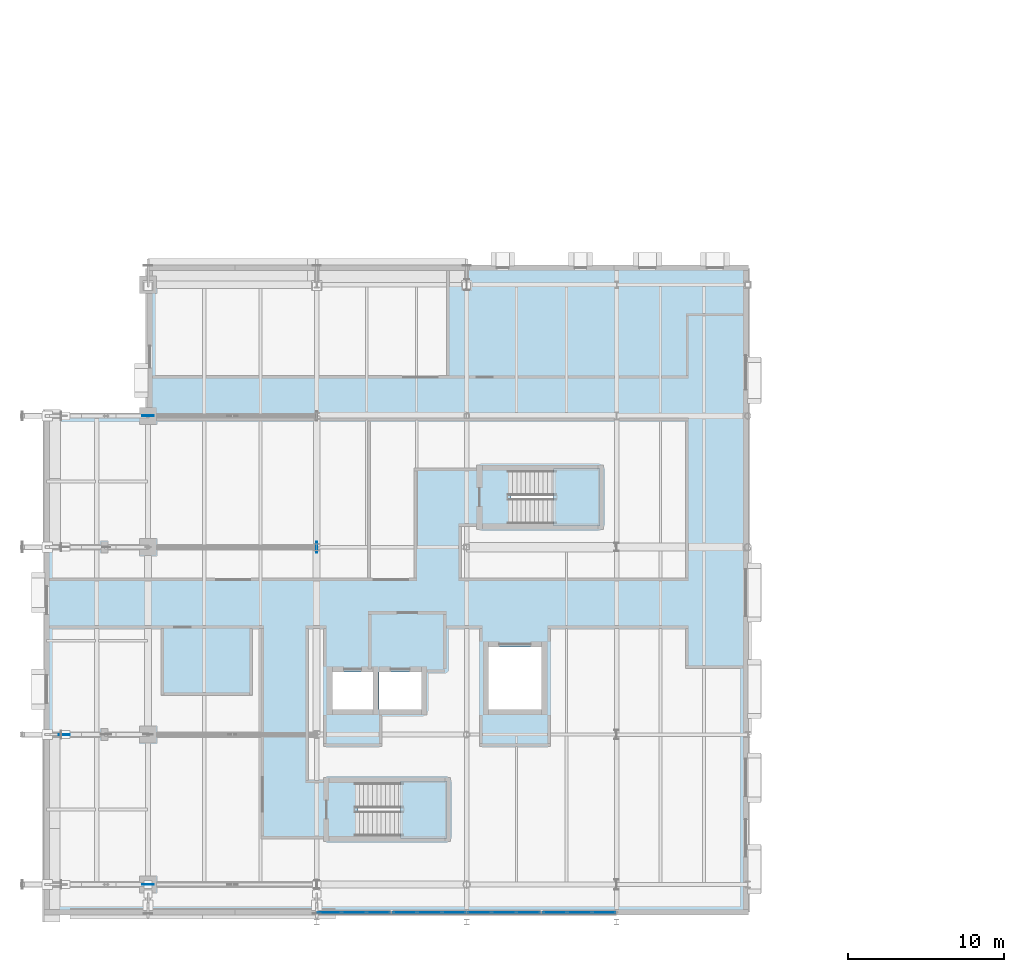
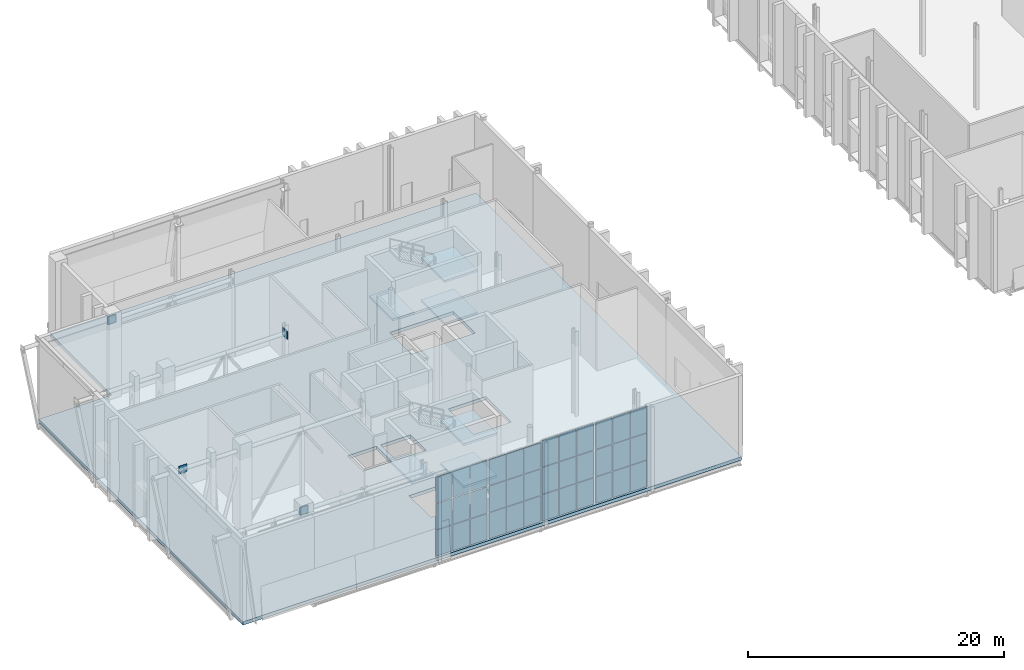
# One storey, part 38 of 79: 40 plates, 7 slabs, 6 elements without a shape of their own.
"""IFC4 building model written with IfcOpenShell, lengths in metres."""

from ifc_helpers import new_model, si_unit, direction, frame, origin, origin_2d, place, context, subcontext, project, spatial, polyline, rectangle, outline, extrude, material, layer, layer_set, type_object, element, aggregate, save


model = new_model("IFC4")

# Units and contexts
model_context = context("Model", 3, precision=1e-05, world=origin(), true_north=direction((0.0, 1.0)))
body_context = subcontext(model_context, "Body", "Model", "MODEL_VIEW")
ifc_project = project(units=[si_unit("LENGTHUNIT", "METRE"), si_unit("AREAUNIT", "SQUARE_METRE"), si_unit("VOLUMEUNIT", "CUBIC_METRE"), si_unit("PLANEANGLEUNIT", "RADIAN"), si_unit("MASSUNIT", "GRAM", prefix="KILO")], contexts=[model_context])

# Site, building, storey
site_placement = place(None, origin())
site = spatial("IfcSite", under=ifc_project, at=site_placement, CompositionType="ELEMENT")
building_placement = place(site_placement, origin())
building = spatial("IfcBuilding", under=site, at=building_placement, Name="Zereglee Splitstone Museum", CompositionType="ELEMENT")
storey_placement = place(building_placement, frame((0.0, 0.0, 9.0)))
storey = spatial("IfcBuildingStorey", under=building, at=storey_placement, Name="L02", CompositionType="ELEMENT", Elevation=9.0)

# Curtain wall, plates
ifc_material_1 = material(Name="Triple-glazed low-E argon glass and bronze-anodised aluminium", Category="aluminium")
ifc_layer_1 = layer(ifc_material_1, 0.219970703125)
ifc_layer_set_1 = layer_set([ifc_layer_1], Name="Triple-glazed low-E argon glass and bronze-anodised aluminium")
curtain_wall_type_1 = type_object("IfcCurtainWallType", Name="CW-0476-768", PredefinedType="USERDEFINED", material=ifc_layer_set_1)
curtain_wall_1_placement = place(storey_placement, origin())
curtain_wall_1 = element("IfcCurtainWall", 1, at=curtain_wall_1_placement, inside=storey, type_object=curtain_wall_type_1, Name="Glazed Curtain Wall CW-0476-768 (L02)", ObjectType="GLAZED CURTAIN WALL", PredefinedType="USERDEFINED")
ifc_material_2 = material(Name="Triple low-e argon insulated safety glass", Category="glass")
ifc_layer_2 = layer(ifc_material_2, 0.035888671875)
ifc_layer_set_2 = layer_set([ifc_layer_2], Name="Triple low-e argon insulated safety glass")
plate_type_1 = type_object("IfcPlateType", Name="CWP-01", PredefinedType="CURTAIN_PANEL", material=ifc_layer_set_2)
plate_1_placement = place(storey_placement, frame((21.212158203125, -1.780029296875, 0.0751953125), z_axis=(0.0, 0.0, 1.0), x_axis=(1.0, 0.0, 0.0)))
plate_1 = element("IfcPlate", 2, at=plate_1_placement, type_object=plate_type_1, Name="CW-0476-768 panel 1.1", PredefinedType="CURTAIN_PANEL", context=body_context, shape_type="SweptSolid", body=[
    extrude(rectangle(XDim=1.47412109375, YDim=0.035888671875, at=origin_2d()), origin(), (0.0, 0.0, 1.0), 2.447509765625),
])
plate_2_placement = place(storey_placement, frame((21.212158203125, -1.780029296875, 2.59765625), z_axis=(0.0, 0.0, 1.0), x_axis=(1.0, 0.0, 0.0)))
plate_2 = element("IfcPlate", 3, at=plate_2_placement, type_object=plate_type_1, Name="CW-0476-768 panel 1.2", PredefinedType="CURTAIN_PANEL", context=body_context, shape_type="SweptSolid", body=[
    extrude(rectangle(XDim=1.47412109375, YDim=0.035888671875, at=origin_2d()), origin(), (0.0, 0.0, 1.0), 2.485107421875),
])
plate_3_placement = place(storey_placement, frame((21.212158203125, -1.780029296875, 5.15771484375), z_axis=(0.0, 0.0, 1.0), x_axis=(1.0, 0.0, 0.0)))
plate_3 = element("IfcPlate", 4, at=plate_3_placement, type_object=plate_type_1, Name="CW-0476-768 panel 1.3", PredefinedType="CURTAIN_PANEL", context=body_context, shape_type="SweptSolid", body=[
    extrude(rectangle(XDim=1.47412109375, YDim=0.035888671875, at=origin_2d()), origin(), (0.0, 0.0, 1.0), 2.447509765625),
])
plate_4_placement = place(storey_placement, frame((22.780029296875, -1.780029296875, 0.0751953125), z_axis=(0.0, 0.0, 1.0), x_axis=(1.0, 0.0, 0.0)))
plate_4 = element("IfcPlate", 5, at=plate_4_placement, type_object=plate_type_1, Name="CW-0476-768 panel 2.1", PredefinedType="CURTAIN_PANEL", context=body_context, shape_type="SweptSolid", body=[
    extrude(rectangle(XDim=1.51171875, YDim=0.035888671875, at=origin_2d()), origin(), (0.0, 0.0, 1.0), 2.447509765625),
])
plate_5_placement = place(storey_placement, frame((22.780029296875, -1.780029296875, 2.59765625), z_axis=(0.0, 0.0, 1.0), x_axis=(1.0, 0.0, 0.0)))
plate_5 = element("IfcPlate", 6, at=plate_5_placement, type_object=plate_type_1, Name="CW-0476-768 panel 2.2", PredefinedType="CURTAIN_PANEL", context=body_context, shape_type="SweptSolid", body=[
    extrude(rectangle(XDim=1.51171875, YDim=0.035888671875, at=origin_2d()), origin(), (0.0, 0.0, 1.0), 2.485107421875),
])
plate_6_placement = place(storey_placement, frame((22.780029296875, -1.780029296875, 5.15771484375), z_axis=(0.0, 0.0, 1.0), x_axis=(1.0, 0.0, 0.0)))
plate_6 = element("IfcPlate", 7, at=plate_6_placement, type_object=plate_type_1, Name="CW-0476-768 panel 2.3", PredefinedType="CURTAIN_PANEL", context=body_context, shape_type="SweptSolid", body=[
    extrude(rectangle(XDim=1.51171875, YDim=0.035888671875, at=origin_2d()), origin(), (0.0, 0.0, 1.0), 2.447509765625),
])
plate_7_placement = place(storey_placement, frame((24.347900390625, -1.780029296875, 0.0751953125), z_axis=(0.0, 0.0, 1.0), x_axis=(1.0, 0.0, 0.0)))
plate_7 = element("IfcPlate", 8, at=plate_7_placement, type_object=plate_type_1, Name="CW-0476-768 panel 3.1", PredefinedType="CURTAIN_PANEL", context=body_context, shape_type="SweptSolid", body=[
    extrude(rectangle(XDim=1.47412109375, YDim=0.035888671875, at=origin_2d()), origin(), (0.0, 0.0, 1.0), 2.447509765625),
])
plate_8_placement = place(storey_placement, frame((24.347900390625, -1.780029296875, 2.59765625), z_axis=(0.0, 0.0, 1.0), x_axis=(1.0, 0.0, 0.0)))
plate_8 = element("IfcPlate", 9, at=plate_8_placement, type_object=plate_type_1, Name="CW-0476-768 panel 3.2", PredefinedType="CURTAIN_PANEL", context=body_context, shape_type="SweptSolid", body=[
    extrude(rectangle(XDim=1.47412109375, YDim=0.035888671875, at=origin_2d()), origin(), (0.0, 0.0, 1.0), 2.485107421875),
])
plate_9_placement = place(storey_placement, frame((24.347900390625, -1.780029296875, 5.15771484375), z_axis=(0.0, 0.0, 1.0), x_axis=(1.0, 0.0, 0.0)))
plate_9 = element("IfcPlate", 10, at=plate_9_placement, type_object=plate_type_1, Name="CW-0476-768 panel 3.3", PredefinedType="CURTAIN_PANEL", context=body_context, shape_type="SweptSolid", body=[
    extrude(rectangle(XDim=1.47412109375, YDim=0.035888671875, at=origin_2d()), origin(), (0.0, 0.0, 1.0), 2.447509765625),
])
aggregate(curtain_wall_1, [plate_1, plate_2, plate_3, plate_4, plate_5, plate_6, plate_7, plate_8, plate_9])

ifc_layer_3 = layer(ifc_material_1, 0.219970703125)
ifc_layer_set_3 = layer_set([ifc_layer_3], Name="Triple-glazed low-E argon glass and bronze-anodised aluminium")
curtain_wall_type_2 = type_object("IfcCurtainWallType", Name="CW-0476-766", PredefinedType="USERDEFINED", material=ifc_layer_set_3)
curtain_wall_2_placement = place(storey_placement, origin())
curtain_wall_2 = element("IfcCurtainWall", 11, at=curtain_wall_2_placement, inside=storey, type_object=curtain_wall_type_2, Name="Glazed Curtain Wall CW-0476-766 (L02)", ObjectType="GLAZED CURTAIN WALL", PredefinedType="USERDEFINED")
plate_10_placement = place(storey_placement, frame((26.052001953125, -1.780029296875, 0.074951171875), z_axis=(0.0, 0.0, 1.0), x_axis=(1.0, 0.0, 0.0)))
plate_10 = element("IfcPlate", 12, at=plate_10_placement, type_object=plate_type_1, Name="CW-0476-766 panel 1.1", PredefinedType="CURTAIN_PANEL", context=body_context, shape_type="SweptSolid", body=[
    extrude(rectangle(XDim=1.47412109375, YDim=0.035888671875, at=origin_2d()), origin(), (0.0, 0.0, 1.0), 2.44091796875),
])
plate_11_placement = place(storey_placement, frame((26.052001953125, -1.780029296875, 2.5908203125), z_axis=(0.0, 0.0, 1.0), x_axis=(1.0, 0.0, 0.0)))
plate_11 = element("IfcPlate", 13, at=plate_11_placement, type_object=plate_type_1, Name="CW-0476-766 panel 1.2", PredefinedType="CURTAIN_PANEL", context=body_context, shape_type="SweptSolid", body=[
    extrude(rectangle(XDim=1.47412109375, YDim=0.035888671875, at=origin_2d()), origin(), (0.0, 0.0, 1.0), 2.478515625),
])
plate_12_placement = place(storey_placement, frame((26.052001953125, -1.780029296875, 5.14404296875), z_axis=(0.0, 0.0, 1.0), x_axis=(1.0, 0.0, 0.0)))
plate_12 = element("IfcPlate", 14, at=plate_12_placement, type_object=plate_type_1, Name="CW-0476-766 panel 1.3", PredefinedType="CURTAIN_PANEL", context=body_context, shape_type="SweptSolid", body=[
    extrude(rectangle(XDim=1.47412109375, YDim=0.035888671875, at=origin_2d()), origin(), (0.0, 0.0, 1.0), 2.44091796875),
])
plate_13_placement = place(storey_placement, frame((27.6201171875, -1.780029296875, 0.074951171875), z_axis=(0.0, 0.0, 1.0), x_axis=(1.0, 0.0, 0.0)))
plate_13 = element("IfcPlate", 15, at=plate_13_placement, type_object=plate_type_1, Name="CW-0476-766 panel 2.1", PredefinedType="CURTAIN_PANEL", context=body_context, shape_type="SweptSolid", body=[
    extrude(rectangle(XDim=1.51171875, YDim=0.035888671875, at=origin_2d()), origin(), (0.0, 0.0, 1.0), 2.44091796875),
])
plate_14_placement = place(storey_placement, frame((27.6201171875, -1.780029296875, 2.5908203125), z_axis=(0.0, 0.0, 1.0), x_axis=(1.0, 0.0, 0.0)))
plate_14 = element("IfcPlate", 16, at=plate_14_placement, type_object=plate_type_1, Name="CW-0476-766 panel 2.2", PredefinedType="CURTAIN_PANEL", context=body_context, shape_type="SweptSolid", body=[
    extrude(rectangle(XDim=1.51171875, YDim=0.035888671875, at=origin_2d()), origin(), (0.0, 0.0, 1.0), 2.478515625),
])
plate_15_placement = place(storey_placement, frame((27.6201171875, -1.780029296875, 5.14404296875), z_axis=(0.0, 0.0, 1.0), x_axis=(1.0, 0.0, 0.0)))
plate_15 = element("IfcPlate", 17, at=plate_15_placement, type_object=plate_type_1, Name="CW-0476-766 panel 2.3", PredefinedType="CURTAIN_PANEL", context=body_context, shape_type="SweptSolid", body=[
    extrude(rectangle(XDim=1.51171875, YDim=0.035888671875, at=origin_2d()), origin(), (0.0, 0.0, 1.0), 2.44091796875),
])
plate_16_placement = place(storey_placement, frame((29.18798828125, -1.780029296875, 0.074951171875), z_axis=(0.0, 0.0, 1.0), x_axis=(1.0, 0.0, 0.0)))
plate_16 = element("IfcPlate", 18, at=plate_16_placement, type_object=plate_type_1, Name="CW-0476-766 panel 3.1", PredefinedType="CURTAIN_PANEL", context=body_context, shape_type="SweptSolid", body=[
    extrude(rectangle(XDim=1.47412109375, YDim=0.035888671875, at=origin_2d()), origin(), (0.0, 0.0, 1.0), 2.44091796875),
])
plate_17_placement = place(storey_placement, frame((29.18798828125, -1.780029296875, 2.5908203125), z_axis=(0.0, 0.0, 1.0), x_axis=(1.0, 0.0, 0.0)))
plate_17 = element("IfcPlate", 19, at=plate_17_placement, type_object=plate_type_1, Name="CW-0476-766 panel 3.2", PredefinedType="CURTAIN_PANEL", context=body_context, shape_type="SweptSolid", body=[
    extrude(rectangle(XDim=1.47412109375, YDim=0.035888671875, at=origin_2d()), origin(), (0.0, 0.0, 1.0), 2.478515625),
])
plate_18_placement = place(storey_placement, frame((29.18798828125, -1.780029296875, 5.14404296875), z_axis=(0.0, 0.0, 1.0), x_axis=(1.0, 0.0, 0.0)))
plate_18 = element("IfcPlate", 20, at=plate_18_placement, type_object=plate_type_1, Name="CW-0476-766 panel 3.3", PredefinedType="CURTAIN_PANEL", context=body_context, shape_type="SweptSolid", body=[
    extrude(rectangle(XDim=1.47412109375, YDim=0.035888671875, at=origin_2d()), origin(), (0.0, 0.0, 1.0), 2.44091796875),
])
aggregate(curtain_wall_2, [plate_10, plate_11, plate_12, plate_13, plate_14, plate_15, plate_16, plate_17, plate_18])

ifc_layer_4 = layer(ifc_material_1, 0.219970703125)
ifc_layer_set_4 = layer_set([ifc_layer_4], Name="Triple-glazed low-E argon glass and bronze-anodised aluminium")
curtain_wall_type_3 = type_object("IfcCurtainWallType", Name="CW-0476-780", PredefinedType="USERDEFINED", material=ifc_layer_set_4)
curtain_wall_3_placement = place(storey_placement, origin())
curtain_wall_3 = element("IfcCurtainWall", 21, at=curtain_wall_3_placement, inside=storey, type_object=curtain_wall_type_3, Name="Glazed Curtain Wall CW-0476-780 (L02)", ObjectType="GLAZED CURTAIN WALL", PredefinedType="USERDEFINED")
plate_19_placement = place(storey_placement, frame((30.81201171875, -1.780029296875, 0.0751953125), z_axis=(0.0, 0.0, 1.0), x_axis=(1.0, 0.0, 0.0)))
plate_19 = element("IfcPlate", 22, at=plate_19_placement, type_object=plate_type_1, Name="CW-0476-780 panel 1.1", PredefinedType="CURTAIN_PANEL", context=body_context, shape_type="SweptSolid", body=[
    extrude(rectangle(XDim=1.47412109375, YDim=0.035888671875, at=origin_2d()), origin(), (0.0, 0.0, 1.0), 2.487548828125),
])
plate_20_placement = place(storey_placement, frame((30.81201171875, -1.780029296875, 2.637451171875), z_axis=(0.0, 0.0, 1.0), x_axis=(1.0, 0.0, 0.0)))
plate_20 = element("IfcPlate", 23, at=plate_20_placement, type_object=plate_type_1, Name="CW-0476-780 panel 1.2", PredefinedType="CURTAIN_PANEL", context=body_context, shape_type="SweptSolid", body=[
    extrude(rectangle(XDim=1.47412109375, YDim=0.035888671875, at=origin_2d()), origin(), (0.0, 0.0, 1.0), 2.52490234375),
])
plate_21_placement = place(storey_placement, frame((30.81201171875, -1.780029296875, 5.2373046875), z_axis=(0.0, 0.0, 1.0), x_axis=(1.0, 0.0, 0.0)))
plate_21 = element("IfcPlate", 24, at=plate_21_placement, type_object=plate_type_1, Name="CW-0476-780 panel 1.3", PredefinedType="CURTAIN_PANEL", context=body_context, shape_type="SweptSolid", body=[
    extrude(rectangle(XDim=1.47412109375, YDim=0.035888671875, at=origin_2d()), origin(), (0.0, 0.0, 1.0), 2.487548828125),
])
plate_22_placement = place(storey_placement, frame((32.3798828125, -1.780029296875, 0.0751953125), z_axis=(0.0, 0.0, 1.0), x_axis=(1.0, 0.0, 0.0)))
plate_22 = element("IfcPlate", 25, at=plate_22_placement, type_object=plate_type_1, Name="CW-0476-780 panel 2.1", PredefinedType="CURTAIN_PANEL", context=body_context, shape_type="SweptSolid", body=[
    extrude(rectangle(XDim=1.51171875, YDim=0.035888671875, at=origin_2d()), origin(), (0.0, 0.0, 1.0), 2.487548828125),
])
plate_23_placement = place(storey_placement, frame((32.3798828125, -1.780029296875, 2.637451171875), z_axis=(0.0, 0.0, 1.0), x_axis=(1.0, 0.0, 0.0)))
plate_23 = element("IfcPlate", 26, at=plate_23_placement, type_object=plate_type_1, Name="CW-0476-780 panel 2.2", PredefinedType="CURTAIN_PANEL", context=body_context, shape_type="SweptSolid", body=[
    extrude(rectangle(XDim=1.51171875, YDim=0.035888671875, at=origin_2d()), origin(), (0.0, 0.0, 1.0), 2.52490234375),
])
plate_24_placement = place(storey_placement, frame((32.3798828125, -1.780029296875, 5.2373046875), z_axis=(0.0, 0.0, 1.0), x_axis=(1.0, 0.0, 0.0)))
plate_24 = element("IfcPlate", 27, at=plate_24_placement, type_object=plate_type_1, Name="CW-0476-780 panel 2.3", PredefinedType="CURTAIN_PANEL", context=body_context, shape_type="SweptSolid", body=[
    extrude(rectangle(XDim=1.51171875, YDim=0.035888671875, at=origin_2d()), origin(), (0.0, 0.0, 1.0), 2.487548828125),
])
plate_25_placement = place(storey_placement, frame((33.947998046875, -1.780029296875, 0.0751953125), z_axis=(0.0, 0.0, 1.0), x_axis=(1.0, 0.0, 0.0)))
plate_25 = element("IfcPlate", 28, at=plate_25_placement, type_object=plate_type_1, Name="CW-0476-780 panel 3.1", PredefinedType="CURTAIN_PANEL", context=body_context, shape_type="SweptSolid", body=[
    extrude(rectangle(XDim=1.47412109375, YDim=0.035888671875, at=origin_2d()), origin(), (0.0, 0.0, 1.0), 2.487548828125),
])
plate_26_placement = place(storey_placement, frame((33.947998046875, -1.780029296875, 2.637451171875), z_axis=(0.0, 0.0, 1.0), x_axis=(1.0, 0.0, 0.0)))
plate_26 = element("IfcPlate", 29, at=plate_26_placement, type_object=plate_type_1, Name="CW-0476-780 panel 3.2", PredefinedType="CURTAIN_PANEL", context=body_context, shape_type="SweptSolid", body=[
    extrude(rectangle(XDim=1.47412109375, YDim=0.035888671875, at=origin_2d()), origin(), (0.0, 0.0, 1.0), 2.52490234375),
])
plate_27_placement = place(storey_placement, frame((33.947998046875, -1.780029296875, 5.2373046875), z_axis=(0.0, 0.0, 1.0), x_axis=(1.0, 0.0, 0.0)))
plate_27 = element("IfcPlate", 30, at=plate_27_placement, type_object=plate_type_1, Name="CW-0476-780 panel 3.3", PredefinedType="CURTAIN_PANEL", context=body_context, shape_type="SweptSolid", body=[
    extrude(rectangle(XDim=1.47412109375, YDim=0.035888671875, at=origin_2d()), origin(), (0.0, 0.0, 1.0), 2.487548828125),
])
aggregate(curtain_wall_3, [plate_19, plate_20, plate_21, plate_22, plate_23, plate_24, plate_25, plate_26, plate_27])

ifc_layer_5 = layer(ifc_material_1, 0.219970703125)
ifc_layer_set_5 = layer_set([ifc_layer_5], Name="Triple-glazed low-E argon glass and bronze-anodised aluminium")
curtain_wall_type_4 = type_object("IfcCurtainWallType", Name="CW-0476-778", PredefinedType="USERDEFINED", material=ifc_layer_set_5)
curtain_wall_4_placement = place(storey_placement, origin())
curtain_wall_4 = element("IfcCurtainWall", 31, at=curtain_wall_4_placement, inside=storey, type_object=curtain_wall_type_4, Name="Glazed Curtain Wall CW-0476-778 (L02)", ObjectType="GLAZED CURTAIN WALL", PredefinedType="USERDEFINED")
plate_28_placement = place(storey_placement, frame((35.652099609375, -1.780029296875, 0.0751953125), z_axis=(0.0, 0.0, 1.0), x_axis=(1.0, 0.0, 0.0)))
plate_28 = element("IfcPlate", 32, at=plate_28_placement, type_object=plate_type_1, Name="CW-0476-778 panel 1.1", PredefinedType="CURTAIN_PANEL", context=body_context, shape_type="SweptSolid", body=[
    extrude(rectangle(XDim=1.47412109375, YDim=0.035888671875, at=origin_2d()), origin(), (0.0, 0.0, 1.0), 2.480712890625),
])
plate_29_placement = place(storey_placement, frame((35.652099609375, -1.780029296875, 2.630859375), z_axis=(0.0, 0.0, 1.0), x_axis=(1.0, 0.0, 0.0)))
plate_29 = element("IfcPlate", 33, at=plate_29_placement, type_object=plate_type_1, Name="CW-0476-778 panel 1.2", PredefinedType="CURTAIN_PANEL", context=body_context, shape_type="SweptSolid", body=[
    extrude(rectangle(XDim=1.47412109375, YDim=0.035888671875, at=origin_2d()), origin(), (0.0, 0.0, 1.0), 2.518310546875),
])
plate_30_placement = place(storey_placement, frame((35.652099609375, -1.780029296875, 5.22412109375), z_axis=(0.0, 0.0, 1.0), x_axis=(1.0, 0.0, 0.0)))
plate_30 = element("IfcPlate", 34, at=plate_30_placement, type_object=plate_type_1, Name="CW-0476-778 panel 1.3", PredefinedType="CURTAIN_PANEL", context=body_context, shape_type="SweptSolid", body=[
    extrude(rectangle(XDim=1.47412109375, YDim=0.035888671875, at=origin_2d()), origin(), (0.0, 0.0, 1.0), 2.480712890625),
])
plate_31_placement = place(storey_placement, frame((37.219970703125, -1.780029296875, 0.0751953125), z_axis=(0.0, 0.0, 1.0), x_axis=(1.0, 0.0, 0.0)))
plate_31 = element("IfcPlate", 35, at=plate_31_placement, type_object=plate_type_1, Name="CW-0476-778 panel 2.1", PredefinedType="CURTAIN_PANEL", context=body_context, shape_type="SweptSolid", body=[
    extrude(rectangle(XDim=1.51171875, YDim=0.035888671875, at=origin_2d()), origin(), (0.0, 0.0, 1.0), 2.480712890625),
])
plate_32_placement = place(storey_placement, frame((37.219970703125, -1.780029296875, 2.630859375), z_axis=(0.0, 0.0, 1.0), x_axis=(1.0, 0.0, 0.0)))
plate_32 = element("IfcPlate", 36, at=plate_32_placement, type_object=plate_type_1, Name="CW-0476-778 panel 2.2", PredefinedType="CURTAIN_PANEL", context=body_context, shape_type="SweptSolid", body=[
    extrude(rectangle(XDim=1.51171875, YDim=0.035888671875, at=origin_2d()), origin(), (0.0, 0.0, 1.0), 2.518310546875),
])
plate_33_placement = place(storey_placement, frame((37.219970703125, -1.780029296875, 5.22412109375), z_axis=(0.0, 0.0, 1.0), x_axis=(1.0, 0.0, 0.0)))
plate_33 = element("IfcPlate", 37, at=plate_33_placement, type_object=plate_type_1, Name="CW-0476-778 panel 2.3", PredefinedType="CURTAIN_PANEL", context=body_context, shape_type="SweptSolid", body=[
    extrude(rectangle(XDim=1.51171875, YDim=0.035888671875, at=origin_2d()), origin(), (0.0, 0.0, 1.0), 2.480712890625),
])
plate_34_placement = place(storey_placement, frame((38.787841796875, -1.780029296875, 0.0751953125), z_axis=(0.0, 0.0, 1.0), x_axis=(1.0, 0.0, 0.0)))
plate_34 = element("IfcPlate", 38, at=plate_34_placement, type_object=plate_type_1, Name="CW-0476-778 panel 3.1", PredefinedType="CURTAIN_PANEL", context=body_context, shape_type="SweptSolid", body=[
    extrude(rectangle(XDim=1.47412109375, YDim=0.035888671875, at=origin_2d()), origin(), (0.0, 0.0, 1.0), 2.480712890625),
])
plate_35_placement = place(storey_placement, frame((38.787841796875, -1.780029296875, 2.630859375), z_axis=(0.0, 0.0, 1.0), x_axis=(1.0, 0.0, 0.0)))
plate_35 = element("IfcPlate", 39, at=plate_35_placement, type_object=plate_type_1, Name="CW-0476-778 panel 3.2", PredefinedType="CURTAIN_PANEL", context=body_context, shape_type="SweptSolid", body=[
    extrude(rectangle(XDim=1.47412109375, YDim=0.035888671875, at=origin_2d()), origin(), (0.0, 0.0, 1.0), 2.518310546875),
])
plate_36_placement = place(storey_placement, frame((38.787841796875, -1.780029296875, 5.22412109375), z_axis=(0.0, 0.0, 1.0), x_axis=(1.0, 0.0, 0.0)))
plate_36 = element("IfcPlate", 40, at=plate_36_placement, type_object=plate_type_1, Name="CW-0476-778 panel 3.3", PredefinedType="CURTAIN_PANEL", context=body_context, shape_type="SweptSolid", body=[
    extrude(rectangle(XDim=1.47412109375, YDim=0.035888671875, at=origin_2d()), origin(), (0.0, 0.0, 1.0), 2.480712890625),
])
aggregate(curtain_wall_4, [plate_28, plate_29, plate_30, plate_31, plate_32, plate_33, plate_34, plate_35, plate_36])

# Plates
ifc_material_3 = material(Name="Steel S355J2", Category="steel")
ifc_layer_6 = layer(ifc_material_3, 0.06005859375)
ifc_layer_set_6 = layer_set([ifc_layer_6], Name="Steel S355J2")
plate_type_2 = type_object("IfcPlateType", Name="NP-01", PredefinedType="SHEET", material=ifc_layer_set_6)
for number, where, z_axis, x_axis, name in (
    (41, (9.60009765625, 0.0, 6.83984375), (0.0, 0.0, 1.0), (1.0, 0.0, 0.0), "Cantilever Truss Node Plate CN-01"),
    (42, (4.2333984375, 9.60009765625, 6.83984375), (0.0, 0.0, 1.0), (1.0, 0.0, 0.0), "Cantilever Truss Node Plate CN-02"),
):
    element("IfcPlate", number, at=place(storey_placement, frame(where, z_axis=z_axis, x_axis=x_axis)), inside=storey, type_object=plate_type_2, Name=name, PredefinedType="SHEET", context=body_context, shape_type="SweptSolid", body=[
        extrude(rectangle(XDim=0.719970703125, YDim=0.06005859375, at=origin_2d()), origin(), (0.0, 0.0, 1.0), 0.719970703125),
    ])
plate_37_placement = place(storey_placement, frame((20.39990234375, 21.60009765625, 6.83984375), z_axis=(0.0, 0.0, 1.0), x_axis=(1.0, 0.0, 0.0)))
element("IfcPlate", 43, at=plate_37_placement, inside=storey, type_object=plate_type_2, Name="Cantilever Truss Node Plate CN-03", PredefinedType="SHEET", context=body_context, shape_type="SweptSolid", body=[
    extrude(rectangle(XDim=0.06005859375, YDim=0.719970703125, at=origin_2d()), origin(), (0.0, 0.0, 1.0), 0.719970703125),
])
plate_38_placement = place(storey_placement, frame((9.60009765625, 30.0, 6.83984375), z_axis=(0.0, 0.0, 1.0), x_axis=(1.0, 0.0, 0.0)))
element("IfcPlate", 44, at=plate_38_placement, inside=storey, type_object=plate_type_2, Name="Cantilever Truss Node Plate CN-04", PredefinedType="SHEET", context=body_context, shape_type="SweptSolid", body=[
    extrude(rectangle(XDim=0.719970703125, YDim=0.06005859375, at=origin_2d()), origin(), (0.0, 0.0, 1.0), 0.719970703125),
])

# Slab
ifc_material_4 = material(Name="Concrete C35/45", Category="concrete")
ifc_layer_7 = layer(ifc_material_4, 0.320068359375)
ifc_layer_set_7 = layer_set([ifc_layer_7], Name="Concrete C35/45")
slab_type_1 = type_object("IfcSlabType", Name="FS-03", PredefinedType="FLOOR", material=ifc_layer_set_7)
slab_1_placement = place(storey_placement, frame((0.0, 0.0, -0.320068359375)))
element("IfcSlab", 45, at=slab_1_placement, inside=storey, type_object=slab_type_1, Name="Gallery Floor Slab L02-V1", PredefinedType="FLOOR", context=body_context, shape_type="SweptSolid", body=[
    extrude(outline(polyline([(48.0, -1.89990234375), (3.0, -1.89990234375), (3.0, 30.0), (9.60009765625, 30.0), (9.60009765625, 39.60009765625), (48.0, 39.60009765625), (48.0, 30.0), (48.0, -1.89990234375)]), holes=[polyline([(22.85400390625, 3.10009765625), (28.60009765625, 3.10009765625), (28.60009765625, 6.5), (22.85400390625, 6.5), (22.85400390625, 3.10009765625)]), polyline([(32.654052734375, 23.10009765625), (38.39990234375, 23.10009765625), (38.39990234375, 26.5), (32.654052734375, 26.5), (32.654052734375, 23.10009765625)]), polyline([(21.39990234375, 11.199951171875), (24.0, 11.199951171875), (24.0, 13.60009765625), (21.39990234375, 13.60009765625), (21.39990234375, 11.199951171875)]), polyline([(24.39990234375, 11.199951171875), (27.10009765625, 11.199951171875), (27.10009765625, 13.60009765625), (24.39990234375, 13.60009765625), (24.39990234375, 11.199951171875)]), polyline([(31.39990234375, 11.199951171875), (34.800048828125, 11.199951171875), (34.800048828125, 15.199951171875), (31.39990234375, 15.199951171875), (31.39990234375, 11.199951171875)])]), origin(), (0.0, 0.0, 1.0), 0.320068359375),
])

# Stair, slabs
stair_type_1 = type_object("IfcStairType", Name="ST-01C", PredefinedType="HALF_TURN_STAIR", material=ifc_material_4)
stair_1_placement = place(storey_placement, origin())
stair_1 = element("IfcStair", 46, at=stair_1_placement, inside=storey, type_object=stair_type_1, Name="L02 Protected Exit Stair ST-01 C", PredefinedType="HALF_TURN_STAIR")
ifc_layer_8 = layer(ifc_material_4, 0.199951171875)
ifc_layer_set_8 = layer_set([ifc_layer_8], Name="Concrete C35/45")
slab_type_2 = type_object("IfcSlabType", Name="ST-01C", PredefinedType="LANDING", material=ifc_layer_set_8)
slab_2_placement = place(storey_placement, frame((0.0, 0.0, 1.824951171875)))
slab_2 = element("IfcSlab", 47, at=slab_2_placement, type_object=slab_type_2, Name="ST-01C landing 1", PredefinedType="LANDING", context=body_context, shape_type="SweptSolid", body=[
    extrude(outline(polyline([(25.75, 2.9599609375), (28.739990234375, 2.9599609375), (28.739990234375, 6.639892578125), (25.75, 6.639892578125), (25.75, 2.9599609375)])), origin(), (0.0, 0.0, 1.0), 0.199951171875),
])
slab_3_placement = place(storey_placement, frame((0.0, 0.0, 3.85009765625)))
slab_3 = element("IfcSlab", 48, at=slab_3_placement, type_object=slab_type_2, Name="ST-01C landing 2", PredefinedType="LANDING", context=body_context, shape_type="SweptSolid", body=[
    extrude(outline(polyline([(21.06005859375, 2.9599609375), (23.030029296875, 2.9599609375), (23.030029296875, 6.639892578125), (21.06005859375, 6.639892578125), (21.06005859375, 2.9599609375)])), origin(), (0.0, 0.0, 1.0), 0.199951171875),
])
slab_4_placement = place(storey_placement, frame((0.0, 0.0, 5.875)))
slab_4 = element("IfcSlab", 49, at=slab_4_placement, type_object=slab_type_2, Name="ST-01C landing 3", PredefinedType="LANDING", context=body_context, shape_type="SweptSolid", body=[
    extrude(outline(polyline([(25.75, 2.9599609375), (28.739990234375, 2.9599609375), (28.739990234375, 6.639892578125), (25.75, 6.639892578125), (25.75, 2.9599609375)])), origin(), (0.0, 0.0, 1.0), 0.199951171875),
])
aggregate(stair_1, [slab_2, slab_3, slab_4])

stair_type_2 = type_object("IfcStairType", Name="ST-02C", PredefinedType="HALF_TURN_STAIR", material=ifc_material_4)
stair_2_placement = place(storey_placement, origin())
stair_2 = element("IfcStair", 50, at=stair_2_placement, inside=storey, type_object=stair_type_2, Name="L02 Protected Exit Stair ST-02 C", PredefinedType="HALF_TURN_STAIR")
ifc_layer_9 = layer(ifc_material_4, 0.199951171875)
ifc_layer_set_9 = layer_set([ifc_layer_9], Name="Concrete C35/45")
slab_type_3 = type_object("IfcSlabType", Name="ST-02C", PredefinedType="LANDING", material=ifc_layer_set_9)
slab_5_placement = place(storey_placement, frame((0.0, 0.0, 1.824951171875)))
slab_5 = element("IfcSlab", 51, at=slab_5_placement, type_object=slab_type_3, Name="ST-02C landing 1", PredefinedType="LANDING", context=body_context, shape_type="SweptSolid", body=[
    extrude(outline(polyline([(35.550048828125, 22.9599609375), (38.5400390625, 22.9599609375), (38.5400390625, 26.639892578125), (35.550048828125, 26.639892578125), (35.550048828125, 22.9599609375)])), origin(), (0.0, 0.0, 1.0), 0.199951171875),
])
slab_6_placement = place(storey_placement, frame((0.0, 0.0, 3.85009765625)))
slab_6 = element("IfcSlab", 52, at=slab_6_placement, type_object=slab_type_3, Name="ST-02C landing 2", PredefinedType="LANDING", context=body_context, shape_type="SweptSolid", body=[
    extrude(outline(polyline([(30.860107421875, 22.9599609375), (32.830078125, 22.9599609375), (32.830078125, 26.639892578125), (30.860107421875, 26.639892578125), (30.860107421875, 22.9599609375)])), origin(), (0.0, 0.0, 1.0), 0.199951171875),
])
slab_7_placement = place(storey_placement, frame((0.0, 0.0, 5.875)))
slab_7 = element("IfcSlab", 53, at=slab_7_placement, type_object=slab_type_3, Name="ST-02C landing 3", PredefinedType="LANDING", context=body_context, shape_type="SweptSolid", body=[
    extrude(outline(polyline([(35.550048828125, 22.9599609375), (38.5400390625, 22.9599609375), (38.5400390625, 26.639892578125), (35.550048828125, 26.639892578125), (35.550048828125, 22.9599609375)])), origin(), (0.0, 0.0, 1.0), 0.199951171875),
])
aggregate(stair_2, [slab_5, slab_6, slab_7])

save(model, "model.ifc")
